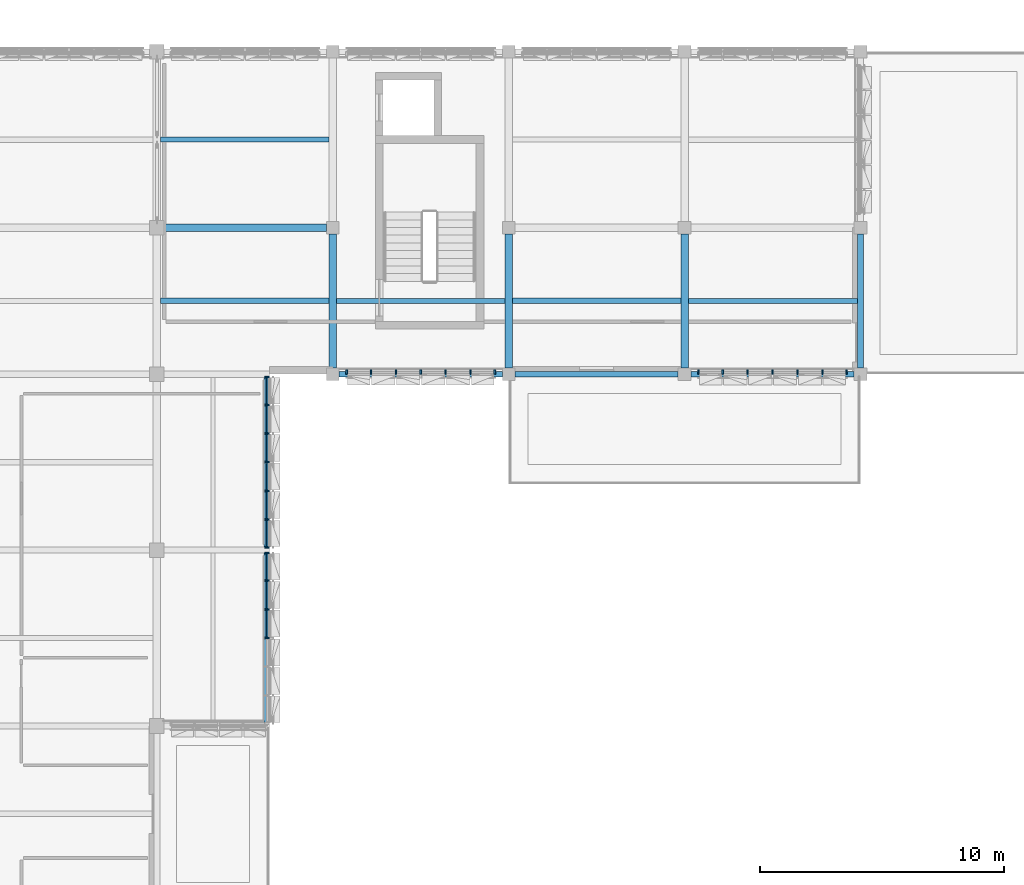
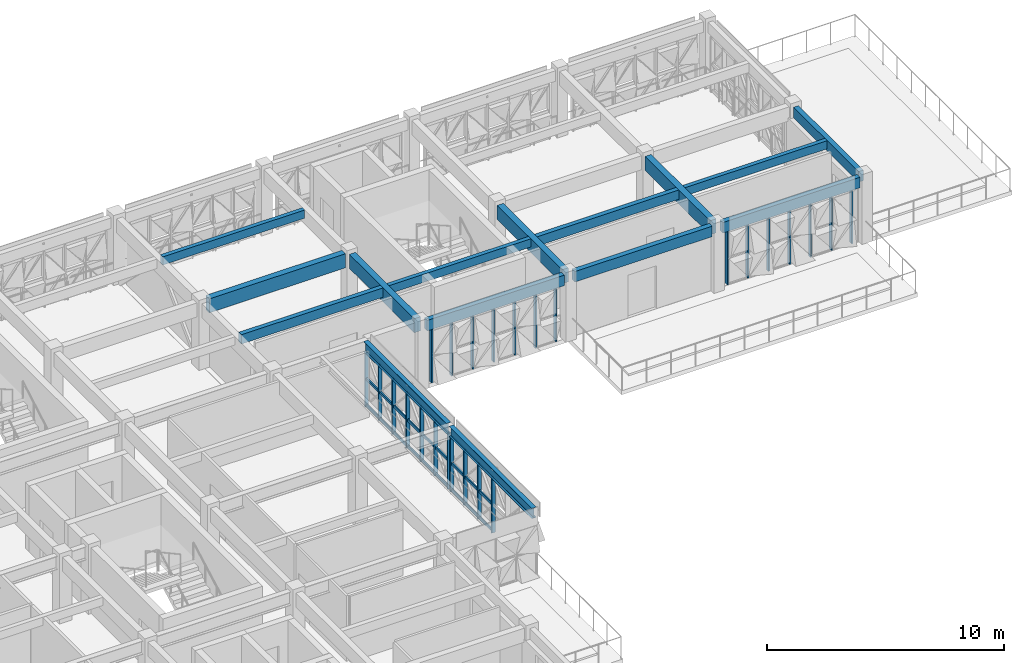
# One storey, part 7 of 74: 52 members, 15 beams, 4 elements without a shape of their own.
"""IFC4 building model written with IfcOpenShell, lengths in metres."""

from ifc_helpers import new_model, si_unit, direction, frame, origin, origin_2d, place, context, subcontext, project, spatial, rectangle, i_section, extrude, material, material_profile, profile_set, type_object, element, aggregate, save


model = new_model("IFC4")

# Units and contexts
model_context = context("Model", 3, precision=1e-05, world=origin(), true_north=direction((0.0, 1.0)))
body_context = subcontext(model_context, "Body", "Model", "MODEL_VIEW")
ifc_project = project(units=[si_unit("LENGTHUNIT", "METRE"), si_unit("AREAUNIT", "SQUARE_METRE"), si_unit("VOLUMEUNIT", "CUBIC_METRE"), si_unit("PLANEANGLEUNIT", "RADIAN"), si_unit("MASSUNIT", "GRAM", prefix="KILO")], contexts=[model_context])

# Site, building, storey
site_placement = place(None, origin())
site = spatial("IfcSite", under=ifc_project, at=site_placement, CompositionType="ELEMENT")
building_placement = place(site_placement, origin())
building = spatial("IfcBuilding", under=site, at=building_placement, Name="Alvorim Cloister Faculty of Sciences", CompositionType="ELEMENT")
storey_placement = place(building_placement, frame((0.0, 0.0, 15.75)))
storey = spatial("IfcBuildingStorey", under=building, at=storey_placement, Name="L04", CompositionType="ELEMENT", Elevation=15.75)

# Beams
ifc_material_1 = material(Name="Glulam GL32h", Category="wood")
ifc_material_profile_1 = material_profile(ifc_material_1, rectangle(XDim=0.300048828125, YDim=0.719970703125, at=origin_2d()), Name="GL32-BM-300x720")
ifc_profile_set_1 = profile_set([ifc_material_profile_1], Name="Glulam GL32h")
beam_type_1 = type_object("IfcBeamType", Name="BM-GL-300x720", PredefinedType="BEAM", material=ifc_profile_set_1)
beam_1_placement = place(storey_placement, frame((29.10009765625, 49.199951171875, 3.030029296875), z_axis=(1.0, 0.0, 0.0), x_axis=(0.0, 1.0, 0.0)))
element("IfcBeam", 1, at=beam_1_placement, inside=storey, type_object=beam_type_1, Name="L04 Primary Beam BM-1763", PredefinedType="BEAM", context=body_context, shape_type="SweptSolid", body=[
    extrude(rectangle(XDim=0.300048828125, YDim=0.719970703125, at=origin_2d()), origin(), (0.0, 0.0, 1.0), 6.639892578125),
])
for number, where, z_axis, x_axis, name in (
    (2, (36.0, 43.4599609375, 3.030029296875), (0.0, 1.0, 0.0), (-1.0, 0.0, 0.0), "L04 Primary Girder BM-1855"),
    (3, (43.199951171875, 43.4599609375, 3.030029296875), (0.0, 1.0, 0.0), (-1.0, 0.0, 0.0), "L04 Primary Girder BM-1857"),
    (4, (50.39990234375, 43.4599609375, 3.030029296875), (0.0, 1.0, 0.0), (-1.0, 0.0, 0.0), "L04 Primary Girder BM-1859"),
):
    element("IfcBeam", number, at=place(storey_placement, frame(where, z_axis=z_axis, x_axis=x_axis)), inside=storey, type_object=beam_type_1, Name=name, PredefinedType="BEAM", context=body_context, shape_type="SweptSolid", body=[
        extrude(rectangle(XDim=0.300048828125, YDim=0.719970703125, at=origin_2d()), origin(), (0.0, 0.0, 1.0), 5.47998046875),
    ])
ifc_material_2 = material(Name="Glulam GL28h", Category="wood")
ifc_material_profile_2 = material_profile(ifc_material_2, rectangle(XDim=0.199951171875, YDim=0.419921875, at=origin_2d()), Name="GL28-JST-200x420")
ifc_profile_set_2 = profile_set([ifc_material_profile_2], Name="Glulam GL28h")
beam_type_2 = type_object("IfcBeamType", Name="BM-JST-GL-200x420", PredefinedType="JOIST", material=ifc_profile_set_2)
for number, where, z_axis, x_axis, name in (
    (5, (28.949951171875, 52.800048828125, 3.179931640625), (1.0, 0.0, 0.0), (0.0, 1.0, 0.0), "L04 Secondary Floor Joist BM-1931"),
    (6, (36.14990234375, 46.199951171875, 3.179931640625), (1.0, 0.0, 0.0), (0.0, 1.0, 0.0), "L04 Secondary Floor Joist BM-1932"),
):
    element("IfcBeam", number, at=place(storey_placement, frame(where, z_axis=z_axis, x_axis=x_axis)), inside=storey, type_object=beam_type_2, Name=name, PredefinedType="JOIST", context=body_context, shape_type="SweptSolid", body=[
        extrude(rectangle(XDim=0.199951171875, YDim=0.419921875, at=origin_2d()), origin(), (0.0, 0.0, 1.0), 6.900146484375),
    ])
beam_2_placement = place(storey_placement, frame((50.550048828125, 46.199951171875, 3.179931640625), z_axis=(1.0, 0.0, 0.0), x_axis=(0.0, 1.0, 0.0)))
element("IfcBeam", 7, at=beam_2_placement, inside=storey, type_object=beam_type_2, Name="L04 Secondary Floor Joist BM-1935", PredefinedType="JOIST", context=body_context, shape_type="SweptSolid", body=[
    extrude(rectangle(XDim=0.199951171875, YDim=0.419921875, at=origin_2d()), origin(), (0.0, 0.0, 1.0), 6.929931640625),
])
ifc_material_profile_3 = material_profile(ifc_material_2, rectangle(XDim=0.219970703125, YDim=0.47998046875, at=origin_2d()), Name="GL28-JST-220x480")
ifc_profile_set_3 = profile_set([ifc_material_profile_3], Name="Glulam GL28h")
beam_type_3 = type_object("IfcBeamType", Name="BM-JST-GL-220x480", PredefinedType="JOIST", material=ifc_profile_set_3)
beam_3_placement = place(storey_placement, frame((28.949951171875, 46.199951171875, 3.14990234375), z_axis=(1.0, 0.0, 0.0), x_axis=(0.0, 1.0, 0.0)))
element("IfcBeam", 8, at=beam_3_placement, inside=storey, type_object=beam_type_3, Name="L04 Secondary Floor Joist BM-1930", PredefinedType="JOIST", context=body_context, shape_type="SweptSolid", body=[
    extrude(rectangle(XDim=0.219970703125, YDim=0.47998046875, at=origin_2d()), origin(), (0.0, 0.0, 1.0), 6.900146484375),
])
beam_4_placement = place(storey_placement, frame((43.35009765625, 46.199951171875, 3.14990234375), z_axis=(1.0, 0.0, 0.0), x_axis=(0.0, 1.0, 0.0)))
element("IfcBeam", 9, at=beam_4_placement, inside=storey, type_object=beam_type_3, Name="L04 Secondary Floor Joist BM-1933", PredefinedType="JOIST", context=body_context, shape_type="SweptSolid", body=[
    extrude(rectangle(XDim=0.219970703125, YDim=0.47998046875, at=origin_2d()), origin(), (0.0, 0.0, 1.0), 6.89990234375),
])
ifc_material_profile_4 = material_profile(ifc_material_2, rectangle(XDim=0.239990234375, YDim=0.5400390625, at=origin_2d()), Name="GL28-SPD-240x540")
ifc_profile_set_4 = profile_set([ifc_material_profile_4], Name="Glulam GL28h")
beam_type_4 = type_object("IfcBeamType", Name="BM-SPD-GL-240x540", PredefinedType="SPANDREL", material=ifc_profile_set_4)
for number, where, z_axis, x_axis, name in (
    (10, (36.260009765625, 43.199951171875, 3.1201171875), (1.0, 0.0, 0.0), (0.0, 1.0, 0.0), "L04 Primary Beam BM-1759"),
    (11, (43.4599609375, 43.199951171875, 3.1201171875), (1.0, 0.0, 0.0), (0.0, 1.0, 0.0), "L04 Primary Beam BM-1760"),
):
    element("IfcBeam", number, at=place(storey_placement, frame(where, z_axis=z_axis, x_axis=x_axis)), inside=storey, type_object=beam_type_4, Name=name, PredefinedType="SPANDREL", context=body_context, shape_type="SweptSolid", body=[
        extrude(rectangle(XDim=0.239990234375, YDim=0.5400390625, at=origin_2d()), origin(), (0.0, 0.0, 1.0), 6.679931640625),
    ])
beam_5_placement = place(storey_placement, frame((50.659912109375, 43.199951171875, 3.1201171875), z_axis=(1.0, 0.0, 0.0), x_axis=(0.0, 1.0, 0.0)))
element("IfcBeam", 12, at=beam_5_placement, inside=storey, type_object=beam_type_4, Name="L04 Primary Beam BM-1761", PredefinedType="SPANDREL", context=body_context, shape_type="SweptSolid", body=[
    extrude(rectangle(XDim=0.239990234375, YDim=0.5400390625, at=origin_2d()), origin(), (0.0, 0.0, 1.0), 6.68017578125),
])
beam_6_placement = place(storey_placement, frame((57.60009765625, 43.4599609375, 3.1201171875), z_axis=(0.0, 1.0, 0.0), x_axis=(-1.0, 0.0, 0.0)))
element("IfcBeam", 13, at=beam_6_placement, inside=storey, type_object=beam_type_4, Name="L04 Primary Girder BM-1861", PredefinedType="SPANDREL", context=body_context, shape_type="SweptSolid", body=[
    extrude(rectangle(XDim=0.239990234375, YDim=0.5400390625, at=origin_2d()), origin(), (0.0, 0.0, 1.0), 5.47998046875),
])
ifc_material_3 = material(Name="Steel ASTM A572 Grade 50", Category="steel")
ifc_material_profile_5 = material_profile(ifc_material_3, i_section(OverallWidth=0.208984375, OverallDepth=0.532958984375, WebThickness=0.01025390625, FlangeThickness=0.015625, FilletRadius=0.01611328125, at=origin_2d()), Name="W530x92.0")
ifc_profile_set_5 = profile_set([ifc_material_profile_5], Name="Steel ASTM A572 Grade 50")
beam_type_5 = type_object("IfcBeamType", Name="BM-STL-W530", PredefinedType="BEAM", material=ifc_profile_set_5)
for number, where, z_axis, x_axis, name in (
    (14, (33.280029296875, 28.909912109375, 3.12353515625), (0.0, 1.0, 0.0), (-1.0, 0.0, 0.0), "L04 Cantilever Tip Header Girder BM-0137"),
    (15, (33.280029296875, 36.110107421875, 3.12353515625), (0.0, 1.0, 0.0), (-1.0, 0.0, 0.0), "L04 Cantilever Tip Header Girder BM-0139"),
):
    element("IfcBeam", number, at=place(storey_placement, frame(where, z_axis=z_axis, x_axis=x_axis)), inside=storey, type_object=beam_type_5, Name=name, PredefinedType="BEAM", context=body_context, shape_type="SweptSolid", body=[
        extrude(i_section(OverallWidth=0.208984375, OverallDepth=0.532958984375, WebThickness=0.01025390625, FlangeThickness=0.015625, FilletRadius=0.01611328125, at=origin_2d()), origin(), (0.0, 0.0, 1.0), 6.97998046875),
    ])

# Curtain wall, members
ifc_material_4 = material(Name="Aluminium and Low-E Glass Curtain Wall", Category="aluminium")
curtain_wall_type_1 = type_object("IfcCurtainWallType", Name="CW-TRI-6120x2850", PredefinedType="USERDEFINED", material=ifc_material_4)
curtain_wall_1_placement = place(storey_placement, origin())
curtain_wall_1 = element("IfcCurtainWall", 16, at=curtain_wall_1_placement, inside=storey, type_object=curtain_wall_type_1, Name="L04 Diagonal Cassette Curtain Wall CW-0195", ObjectType="UNITISED CURTAIN WALL", PredefinedType="USERDEFINED")
ifc_material_5 = material(Name="Aluminium Alloy 6063-T6", Category="aluminium")
ifc_material_profile_6 = material_profile(ifc_material_5, rectangle(XDim=0.06494140625, YDim=0.179931640625, at=origin_2d()), Name="ALU-MUL-65x180")
ifc_profile_set_6 = profile_set([ifc_material_profile_6], Name="Aluminium Alloy 6063-T6")
member_type_1 = type_object("IfcMemberType", Name="CW-MUL-65x180", PredefinedType="MULLION", material=ifc_profile_set_6)
member_1_placement = place(storey_placement, frame((50.972412109375, 43.2900390625, 0.0), z_axis=(0.0, 0.0, 1.0), x_axis=(1.0, 0.0, 0.0)))
member_1 = element("IfcMember", 17, at=member_1_placement, type_object=member_type_1, Name="CW-0195 Mullion 1", PredefinedType="MULLION", context=body_context, shape_type="SweptSolid", body=[
    extrude(rectangle(XDim=0.06494140625, YDim=0.179931640625, at=origin_2d()), origin(), (0.0, 0.0, 1.0), 2.85009765625),
])
member_2_placement = place(storey_placement, frame((51.9599609375, 43.2900390625, 0.0), z_axis=(0.0, 0.0, 1.0), x_axis=(1.0, 0.0, 0.0)))
member_2 = element("IfcMember", 18, at=member_2_placement, type_object=member_type_1, Name="CW-0195 Mullion 2", PredefinedType="MULLION", context=body_context, shape_type="SweptSolid", body=[
    extrude(rectangle(XDim=0.06494140625, YDim=0.179931640625, at=origin_2d()), origin(), (0.0, 0.0, 1.0), 2.85009765625),
])
member_3_placement = place(storey_placement, frame((52.97998046875, 43.2900390625, 0.0), z_axis=(0.0, 0.0, 1.0), x_axis=(1.0, 0.0, 0.0)))
member_3 = element("IfcMember", 19, at=member_3_placement, type_object=member_type_1, Name="CW-0195 Mullion 3", PredefinedType="MULLION", context=body_context, shape_type="SweptSolid", body=[
    extrude(rectangle(XDim=0.06494140625, YDim=0.179931640625, at=origin_2d()), origin(), (0.0, 0.0, 1.0), 2.85009765625),
])
member_4_placement = place(storey_placement, frame((54.0, 43.2900390625, 0.0), z_axis=(0.0, 0.0, 1.0), x_axis=(1.0, 0.0, 0.0)))
member_4 = element("IfcMember", 20, at=member_4_placement, type_object=member_type_1, Name="CW-0195 Mullion 4", PredefinedType="MULLION", context=body_context, shape_type="SweptSolid", body=[
    extrude(rectangle(XDim=0.06494140625, YDim=0.179931640625, at=origin_2d()), origin(), (0.0, 0.0, 1.0), 2.85009765625),
])
member_5_placement = place(storey_placement, frame((55.02001953125, 43.2900390625, 0.0), z_axis=(0.0, 0.0, 1.0), x_axis=(1.0, 0.0, 0.0)))
member_5 = element("IfcMember", 21, at=member_5_placement, type_object=member_type_1, Name="CW-0195 Mullion 5", PredefinedType="MULLION", context=body_context, shape_type="SweptSolid", body=[
    extrude(rectangle(XDim=0.06494140625, YDim=0.179931640625, at=origin_2d()), origin(), (0.0, 0.0, 1.0), 2.85009765625),
])
member_6_placement = place(storey_placement, frame((56.0400390625, 43.2900390625, 0.0), z_axis=(0.0, 0.0, 1.0), x_axis=(1.0, 0.0, 0.0)))
member_6 = element("IfcMember", 22, at=member_6_placement, type_object=member_type_1, Name="CW-0195 Mullion 6", PredefinedType="MULLION", context=body_context, shape_type="SweptSolid", body=[
    extrude(rectangle(XDim=0.06494140625, YDim=0.179931640625, at=origin_2d()), origin(), (0.0, 0.0, 1.0), 2.85009765625),
])
member_7_placement = place(storey_placement, frame((57.027587890625, 43.2900390625, 0.0), z_axis=(0.0, 0.0, 1.0), x_axis=(1.0, 0.0, 0.0)))
member_7 = element("IfcMember", 23, at=member_7_placement, type_object=member_type_1, Name="CW-0195 Mullion 7", PredefinedType="MULLION", context=body_context, shape_type="SweptSolid", body=[
    extrude(rectangle(XDim=0.06494140625, YDim=0.179931640625, at=origin_2d()), origin(), (0.0, 0.0, 1.0), 2.85009765625),
])
aggregate(curtain_wall_1, [member_1, member_2, member_3, member_4, member_5, member_6, member_7])

curtain_wall_2_placement = place(storey_placement, origin())
curtain_wall_2 = element("IfcCurtainWall", 24, at=curtain_wall_2_placement, inside=storey, type_object=curtain_wall_type_1, Name="L04 Diagonal Cassette Curtain Wall CW-0196", ObjectType="UNITISED CURTAIN WALL", PredefinedType="USERDEFINED")
member_8_placement = place(storey_placement, frame((36.572509765625, 43.2900390625, 0.0), z_axis=(0.0, 0.0, 1.0), x_axis=(1.0, 0.0, 0.0)))
member_8 = element("IfcMember", 25, at=member_8_placement, type_object=member_type_1, Name="CW-0196 Mullion 1", PredefinedType="MULLION", context=body_context, shape_type="SweptSolid", body=[
    extrude(rectangle(XDim=0.06494140625, YDim=0.179931640625, at=origin_2d()), origin(), (0.0, 0.0, 1.0), 2.85009765625),
])
member_9_placement = place(storey_placement, frame((37.56005859375, 43.2900390625, 0.0), z_axis=(0.0, 0.0, 1.0), x_axis=(1.0, 0.0, 0.0)))
member_9 = element("IfcMember", 26, at=member_9_placement, type_object=member_type_1, Name="CW-0196 Mullion 2", PredefinedType="MULLION", context=body_context, shape_type="SweptSolid", body=[
    extrude(rectangle(XDim=0.06494140625, YDim=0.179931640625, at=origin_2d()), origin(), (0.0, 0.0, 1.0), 2.85009765625),
])
member_10_placement = place(storey_placement, frame((38.580078125, 43.2900390625, 0.0), z_axis=(0.0, 0.0, 1.0), x_axis=(1.0, 0.0, 0.0)))
member_10 = element("IfcMember", 27, at=member_10_placement, type_object=member_type_1, Name="CW-0196 Mullion 3", PredefinedType="MULLION", context=body_context, shape_type="SweptSolid", body=[
    extrude(rectangle(XDim=0.06494140625, YDim=0.179931640625, at=origin_2d()), origin(), (0.0, 0.0, 1.0), 2.85009765625),
])
member_11_placement = place(storey_placement, frame((39.60009765625, 43.2900390625, 0.0), z_axis=(0.0, 0.0, 1.0), x_axis=(1.0, 0.0, 0.0)))
member_11 = element("IfcMember", 28, at=member_11_placement, type_object=member_type_1, Name="CW-0196 Mullion 4", PredefinedType="MULLION", context=body_context, shape_type="SweptSolid", body=[
    extrude(rectangle(XDim=0.06494140625, YDim=0.179931640625, at=origin_2d()), origin(), (0.0, 0.0, 1.0), 2.85009765625),
])
member_12_placement = place(storey_placement, frame((40.6201171875, 43.2900390625, 0.0), z_axis=(0.0, 0.0, 1.0), x_axis=(1.0, 0.0, 0.0)))
member_12 = element("IfcMember", 29, at=member_12_placement, type_object=member_type_1, Name="CW-0196 Mullion 5", PredefinedType="MULLION", context=body_context, shape_type="SweptSolid", body=[
    extrude(rectangle(XDim=0.06494140625, YDim=0.179931640625, at=origin_2d()), origin(), (0.0, 0.0, 1.0), 2.85009765625),
])
member_13_placement = place(storey_placement, frame((41.639892578125, 43.2900390625, 0.0), z_axis=(0.0, 0.0, 1.0), x_axis=(1.0, 0.0, 0.0)))
member_13 = element("IfcMember", 30, at=member_13_placement, type_object=member_type_1, Name="CW-0196 Mullion 6", PredefinedType="MULLION", context=body_context, shape_type="SweptSolid", body=[
    extrude(rectangle(XDim=0.06494140625, YDim=0.179931640625, at=origin_2d()), origin(), (0.0, 0.0, 1.0), 2.85009765625),
])
member_14_placement = place(storey_placement, frame((42.62744140625, 43.2900390625, 0.0), z_axis=(0.0, 0.0, 1.0), x_axis=(1.0, 0.0, 0.0)))
member_14 = element("IfcMember", 31, at=member_14_placement, type_object=member_type_1, Name="CW-0196 Mullion 7", PredefinedType="MULLION", context=body_context, shape_type="SweptSolid", body=[
    extrude(rectangle(XDim=0.06494140625, YDim=0.179931640625, at=origin_2d()), origin(), (0.0, 0.0, 1.0), 2.85009765625),
])
aggregate(curtain_wall_2, [member_8, member_9, member_10, member_11, member_12, member_13, member_14])

curtain_wall_type_2 = type_object("IfcCurtainWallType", Name="CW-TRI-7040x2857", PredefinedType="USERDEFINED", material=ifc_material_4)
curtain_wall_3_placement = place(storey_placement, origin())
curtain_wall_3 = element("IfcCurtainWall", 32, at=curtain_wall_3_placement, inside=storey, type_object=curtain_wall_type_2, Name="L04 Diagonal Cassette Curtain Wall CW-0197", ObjectType="UNITISED CURTAIN WALL", PredefinedType="USERDEFINED")
member_15_placement = place(storey_placement, frame((33.31005859375, 36.112548828125, 0.0), z_axis=(0.0, 0.0, 1.0), x_axis=(0.0, 1.0, 0.0)))
member_15 = element("IfcMember", 33, at=member_15_placement, type_object=member_type_1, Name="CW-0197 Mullion 1", PredefinedType="MULLION", context=body_context, shape_type="SweptSolid", body=[
    extrude(rectangle(XDim=0.06494140625, YDim=0.179931640625, at=origin_2d()), origin(), (0.0, 0.0, 1.0), 2.85693359375),
])
member_16_placement = place(storey_placement, frame((33.31005859375, 37.25341796875, 0.0), z_axis=(0.0, 0.0, 1.0), x_axis=(0.0, 1.0, 0.0)))
member_16 = element("IfcMember", 34, at=member_16_placement, type_object=member_type_1, Name="CW-0197 Mullion 2", PredefinedType="MULLION", context=body_context, shape_type="SweptSolid", body=[
    extrude(rectangle(XDim=0.06494140625, YDim=0.179931640625, at=origin_2d()), origin(), (0.0, 0.0, 1.0), 2.85693359375),
])
member_17_placement = place(storey_placement, frame((33.31005859375, 38.4267578125, 0.0), z_axis=(0.0, 0.0, 1.0), x_axis=(0.0, 1.0, 0.0)))
member_17 = element("IfcMember", 35, at=member_17_placement, type_object=member_type_1, Name="CW-0197 Mullion 3", PredefinedType="MULLION", context=body_context, shape_type="SweptSolid", body=[
    extrude(rectangle(XDim=0.06494140625, YDim=0.179931640625, at=origin_2d()), origin(), (0.0, 0.0, 1.0), 2.85693359375),
])
member_18_placement = place(storey_placement, frame((33.31005859375, 39.60009765625, 0.0), z_axis=(0.0, 0.0, 1.0), x_axis=(0.0, 1.0, 0.0)))
member_18 = element("IfcMember", 36, at=member_18_placement, type_object=member_type_1, Name="CW-0197 Mullion 4", PredefinedType="MULLION", context=body_context, shape_type="SweptSolid", body=[
    extrude(rectangle(XDim=0.06494140625, YDim=0.179931640625, at=origin_2d()), origin(), (0.0, 0.0, 1.0), 2.85693359375),
])
member_19_placement = place(storey_placement, frame((33.31005859375, 40.773193359375, 0.0), z_axis=(0.0, 0.0, 1.0), x_axis=(0.0, 1.0, 0.0)))
member_19 = element("IfcMember", 37, at=member_19_placement, type_object=member_type_1, Name="CW-0197 Mullion 5", PredefinedType="MULLION", context=body_context, shape_type="SweptSolid", body=[
    extrude(rectangle(XDim=0.06494140625, YDim=0.179931640625, at=origin_2d()), origin(), (0.0, 0.0, 1.0), 2.85693359375),
])
member_20_placement = place(storey_placement, frame((33.31005859375, 41.94677734375, 0.0), z_axis=(0.0, 0.0, 1.0), x_axis=(0.0, 1.0, 0.0)))
member_20 = element("IfcMember", 38, at=member_20_placement, type_object=member_type_1, Name="CW-0197 Mullion 6", PredefinedType="MULLION", context=body_context, shape_type="SweptSolid", body=[
    extrude(rectangle(XDim=0.06494140625, YDim=0.179931640625, at=origin_2d()), origin(), (0.0, 0.0, 1.0), 2.85693359375),
])
member_21_placement = place(storey_placement, frame((33.31005859375, 43.08740234375, 0.0), z_axis=(0.0, 0.0, 1.0), x_axis=(0.0, 1.0, 0.0)))
member_21 = element("IfcMember", 39, at=member_21_placement, type_object=member_type_1, Name="CW-0197 Mullion 7", PredefinedType="MULLION", context=body_context, shape_type="SweptSolid", body=[
    extrude(rectangle(XDim=0.06494140625, YDim=0.179931640625, at=origin_2d()), origin(), (0.0, 0.0, 1.0), 2.85693359375),
])

curtain_wall_4_placement = place(storey_placement, origin())
curtain_wall_4 = element("IfcCurtainWall", 40, at=curtain_wall_4_placement, inside=storey, type_object=curtain_wall_type_2, Name="L04 Diagonal Cassette Curtain Wall CW-0198", ObjectType="UNITISED CURTAIN WALL", PredefinedType="USERDEFINED")
member_22_placement = place(storey_placement, frame((33.31005859375, 32.39990234375, 0.0), z_axis=(0.0, 0.0, 1.0), x_axis=(0.0, 1.0, 0.0)))
member_22 = element("IfcMember", 41, at=member_22_placement, type_object=member_type_1, Name="CW-0198 Mullion 4", PredefinedType="MULLION", context=body_context, shape_type="SweptSolid", body=[
    extrude(rectangle(XDim=0.06494140625, YDim=0.179931640625, at=origin_2d()), origin(), (0.0, 0.0, 1.0), 2.85693359375),
])
member_23_placement = place(storey_placement, frame((33.31005859375, 33.5732421875, 0.0), z_axis=(0.0, 0.0, 1.0), x_axis=(0.0, 1.0, 0.0)))
member_23 = element("IfcMember", 42, at=member_23_placement, type_object=member_type_1, Name="CW-0198 Mullion 5", PredefinedType="MULLION", context=body_context, shape_type="SweptSolid", body=[
    extrude(rectangle(XDim=0.06494140625, YDim=0.179931640625, at=origin_2d()), origin(), (0.0, 0.0, 1.0), 2.85693359375),
])
member_24_placement = place(storey_placement, frame((33.31005859375, 34.74658203125, 0.0), z_axis=(0.0, 0.0, 1.0), x_axis=(0.0, 1.0, 0.0)))
member_24 = element("IfcMember", 43, at=member_24_placement, type_object=member_type_1, Name="CW-0198 Mullion 6", PredefinedType="MULLION", context=body_context, shape_type="SweptSolid", body=[
    extrude(rectangle(XDim=0.06494140625, YDim=0.179931640625, at=origin_2d()), origin(), (0.0, 0.0, 1.0), 2.85693359375),
])
member_25_placement = place(storey_placement, frame((33.31005859375, 35.887451171875, 0.0), z_axis=(0.0, 0.0, 1.0), x_axis=(0.0, 1.0, 0.0)))
member_25 = element("IfcMember", 44, at=member_25_placement, type_object=member_type_1, Name="CW-0198 Mullion 7", PredefinedType="MULLION", context=body_context, shape_type="SweptSolid", body=[
    extrude(rectangle(XDim=0.06494140625, YDim=0.179931640625, at=origin_2d()), origin(), (0.0, 0.0, 1.0), 2.85693359375),
])

# Member
ifc_material_profile_7 = material_profile(ifc_material_5, rectangle(XDim=0.06494140625, YDim=0.139892578125, at=origin_2d()), Name="ALU-TRN-65x140")
ifc_profile_set_7 = profile_set([ifc_material_profile_7], Name="Aluminium Alloy 6063-T6")
member_type_2 = type_object("IfcMemberType", Name="CW-TRN-65x140", PredefinedType="USERDEFINED", material=ifc_profile_set_7)
member_26_placement = place(storey_placement, frame((33.31005859375, 36.14501953125, 0.070068359375), z_axis=(0.0, 1.0, 0.0), x_axis=(-1.0, 0.0, 0.0)))
member_26 = element("IfcMember", 45, at=member_26_placement, type_object=member_type_2, Name="CW-0197 Transom 1.1", ObjectType="TRANSOM", PredefinedType="USERDEFINED", context=body_context, shape_type="SweptSolid", body=[
    extrude(rectangle(XDim=0.06494140625, YDim=0.139892578125, at=origin_2d()), origin(), (0.0, 0.0, 1.0), 1.075927734375),
])

member_27_placement = place(storey_placement, frame((33.31005859375, 36.14501953125, 1.428466796875), z_axis=(0.0, 1.0, 0.0), x_axis=(-1.0, 0.0, 0.0)))
member_27 = element("IfcMember", 46, at=member_27_placement, type_object=member_type_2, Name="CW-0197 Transom 1.2", ObjectType="TRANSOM", PredefinedType="USERDEFINED", context=body_context, shape_type="SweptSolid", body=[
    extrude(rectangle(XDim=0.06494140625, YDim=0.139892578125, at=origin_2d()), origin(), (0.0, 0.0, 1.0), 1.075927734375),
])

member_28_placement = place(storey_placement, frame((33.31005859375, 36.14501953125, 2.787109375), z_axis=(0.0, 1.0, 0.0), x_axis=(-1.0, 0.0, 0.0)))
member_28 = element("IfcMember", 47, at=member_28_placement, type_object=member_type_2, Name="CW-0197 Transom 1.3", ObjectType="TRANSOM", PredefinedType="USERDEFINED", context=body_context, shape_type="SweptSolid", body=[
    extrude(rectangle(XDim=0.06494140625, YDim=0.139892578125, at=origin_2d()), origin(), (0.0, 0.0, 1.0), 1.075927734375),
])

member_29_placement = place(storey_placement, frame((33.31005859375, 37.285888671875, 0.070068359375), z_axis=(0.0, 1.0, 0.0), x_axis=(-1.0, 0.0, 0.0)))
member_29 = element("IfcMember", 48, at=member_29_placement, type_object=member_type_2, Name="CW-0197 Transom 2.1", ObjectType="TRANSOM", PredefinedType="USERDEFINED", context=body_context, shape_type="SweptSolid", body=[
    extrude(rectangle(XDim=0.06494140625, YDim=0.139892578125, at=origin_2d()), origin(), (0.0, 0.0, 1.0), 1.1083984375),
])

member_30_placement = place(storey_placement, frame((33.31005859375, 37.285888671875, 1.428466796875), z_axis=(0.0, 1.0, 0.0), x_axis=(-1.0, 0.0, 0.0)))
member_30 = element("IfcMember", 49, at=member_30_placement, type_object=member_type_2, Name="CW-0197 Transom 2.2", ObjectType="TRANSOM", PredefinedType="USERDEFINED", context=body_context, shape_type="SweptSolid", body=[
    extrude(rectangle(XDim=0.06494140625, YDim=0.139892578125, at=origin_2d()), origin(), (0.0, 0.0, 1.0), 1.1083984375),
])

member_31_placement = place(storey_placement, frame((33.31005859375, 37.285888671875, 2.787109375), z_axis=(0.0, 1.0, 0.0), x_axis=(-1.0, 0.0, 0.0)))
member_31 = element("IfcMember", 50, at=member_31_placement, type_object=member_type_2, Name="CW-0197 Transom 2.3", ObjectType="TRANSOM", PredefinedType="USERDEFINED", context=body_context, shape_type="SweptSolid", body=[
    extrude(rectangle(XDim=0.06494140625, YDim=0.139892578125, at=origin_2d()), origin(), (0.0, 0.0, 1.0), 1.1083984375),
])

member_32_placement = place(storey_placement, frame((33.31005859375, 38.459228515625, 0.070068359375), z_axis=(0.0, 1.0, 0.0), x_axis=(-1.0, 0.0, 0.0)))
member_32 = element("IfcMember", 51, at=member_32_placement, type_object=member_type_2, Name="CW-0197 Transom 3.1", ObjectType="TRANSOM", PredefinedType="USERDEFINED", context=body_context, shape_type="SweptSolid", body=[
    extrude(rectangle(XDim=0.06494140625, YDim=0.139892578125, at=origin_2d()), origin(), (0.0, 0.0, 1.0), 1.108154296875),
])

member_33_placement = place(storey_placement, frame((33.31005859375, 38.459228515625, 1.428466796875), z_axis=(0.0, 1.0, 0.0), x_axis=(-1.0, 0.0, 0.0)))
member_33 = element("IfcMember", 52, at=member_33_placement, type_object=member_type_2, Name="CW-0197 Transom 3.2", ObjectType="TRANSOM", PredefinedType="USERDEFINED", context=body_context, shape_type="SweptSolid", body=[
    extrude(rectangle(XDim=0.06494140625, YDim=0.139892578125, at=origin_2d()), origin(), (0.0, 0.0, 1.0), 1.108154296875),
])

member_34_placement = place(storey_placement, frame((33.31005859375, 38.459228515625, 2.787109375), z_axis=(0.0, 1.0, 0.0), x_axis=(-1.0, 0.0, 0.0)))
member_34 = element("IfcMember", 53, at=member_34_placement, type_object=member_type_2, Name="CW-0197 Transom 3.3", ObjectType="TRANSOM", PredefinedType="USERDEFINED", context=body_context, shape_type="SweptSolid", body=[
    extrude(rectangle(XDim=0.06494140625, YDim=0.139892578125, at=origin_2d()), origin(), (0.0, 0.0, 1.0), 1.108154296875),
])

member_35_placement = place(storey_placement, frame((33.31005859375, 39.632568359375, 0.070068359375), z_axis=(0.0, 1.0, 0.0), x_axis=(-1.0, 0.0, 0.0)))
member_35 = element("IfcMember", 54, at=member_35_placement, type_object=member_type_2, Name="CW-0197 Transom 4.1", ObjectType="TRANSOM", PredefinedType="USERDEFINED", context=body_context, shape_type="SweptSolid", body=[
    extrude(rectangle(XDim=0.06494140625, YDim=0.139892578125, at=origin_2d()), origin(), (0.0, 0.0, 1.0), 1.108154296875),
])

member_36_placement = place(storey_placement, frame((33.31005859375, 39.632568359375, 1.428466796875), z_axis=(0.0, 1.0, 0.0), x_axis=(-1.0, 0.0, 0.0)))
member_36 = element("IfcMember", 55, at=member_36_placement, type_object=member_type_2, Name="CW-0197 Transom 4.2", ObjectType="TRANSOM", PredefinedType="USERDEFINED", context=body_context, shape_type="SweptSolid", body=[
    extrude(rectangle(XDim=0.06494140625, YDim=0.139892578125, at=origin_2d()), origin(), (0.0, 0.0, 1.0), 1.108154296875),
])

member_37_placement = place(storey_placement, frame((33.31005859375, 39.632568359375, 2.787109375), z_axis=(0.0, 1.0, 0.0), x_axis=(-1.0, 0.0, 0.0)))
member_37 = element("IfcMember", 56, at=member_37_placement, type_object=member_type_2, Name="CW-0197 Transom 4.3", ObjectType="TRANSOM", PredefinedType="USERDEFINED", context=body_context, shape_type="SweptSolid", body=[
    extrude(rectangle(XDim=0.06494140625, YDim=0.139892578125, at=origin_2d()), origin(), (0.0, 0.0, 1.0), 1.108154296875),
])

member_38_placement = place(storey_placement, frame((33.31005859375, 40.805908203125, 0.070068359375), z_axis=(0.0, 1.0, 0.0), x_axis=(-1.0, 0.0, 0.0)))
member_38 = element("IfcMember", 57, at=member_38_placement, type_object=member_type_2, Name="CW-0197 Transom 5.1", ObjectType="TRANSOM", PredefinedType="USERDEFINED", context=body_context, shape_type="SweptSolid", body=[
    extrude(rectangle(XDim=0.06494140625, YDim=0.139892578125, at=origin_2d()), origin(), (0.0, 0.0, 1.0), 1.108154296875),
])

member_39_placement = place(storey_placement, frame((33.31005859375, 40.805908203125, 1.428466796875), z_axis=(0.0, 1.0, 0.0), x_axis=(-1.0, 0.0, 0.0)))
member_39 = element("IfcMember", 58, at=member_39_placement, type_object=member_type_2, Name="CW-0197 Transom 5.2", ObjectType="TRANSOM", PredefinedType="USERDEFINED", context=body_context, shape_type="SweptSolid", body=[
    extrude(rectangle(XDim=0.06494140625, YDim=0.139892578125, at=origin_2d()), origin(), (0.0, 0.0, 1.0), 1.108154296875),
])

member_40_placement = place(storey_placement, frame((33.31005859375, 40.805908203125, 2.787109375), z_axis=(0.0, 1.0, 0.0), x_axis=(-1.0, 0.0, 0.0)))
member_40 = element("IfcMember", 59, at=member_40_placement, type_object=member_type_2, Name="CW-0197 Transom 5.3", ObjectType="TRANSOM", PredefinedType="USERDEFINED", context=body_context, shape_type="SweptSolid", body=[
    extrude(rectangle(XDim=0.06494140625, YDim=0.139892578125, at=origin_2d()), origin(), (0.0, 0.0, 1.0), 1.108154296875),
])

member_41_placement = place(storey_placement, frame((33.31005859375, 41.979248046875, 0.070068359375), z_axis=(0.0, 1.0, 0.0), x_axis=(-1.0, 0.0, 0.0)))
member_41 = element("IfcMember", 60, at=member_41_placement, type_object=member_type_2, Name="CW-0197 Transom 6.1", ObjectType="TRANSOM", PredefinedType="USERDEFINED", context=body_context, shape_type="SweptSolid", body=[
    extrude(rectangle(XDim=0.06494140625, YDim=0.139892578125, at=origin_2d()), origin(), (0.0, 0.0, 1.0), 1.07568359375),
])

member_42_placement = place(storey_placement, frame((33.31005859375, 41.979248046875, 1.428466796875), z_axis=(0.0, 1.0, 0.0), x_axis=(-1.0, 0.0, 0.0)))
member_42 = element("IfcMember", 61, at=member_42_placement, type_object=member_type_2, Name="CW-0197 Transom 6.2", ObjectType="TRANSOM", PredefinedType="USERDEFINED", context=body_context, shape_type="SweptSolid", body=[
    extrude(rectangle(XDim=0.06494140625, YDim=0.139892578125, at=origin_2d()), origin(), (0.0, 0.0, 1.0), 1.07568359375),
])

member_43_placement = place(storey_placement, frame((33.31005859375, 41.979248046875, 2.787109375), z_axis=(0.0, 1.0, 0.0), x_axis=(-1.0, 0.0, 0.0)))
member_43 = element("IfcMember", 62, at=member_43_placement, type_object=member_type_2, Name="CW-0197 Transom 6.3", ObjectType="TRANSOM", PredefinedType="USERDEFINED", context=body_context, shape_type="SweptSolid", body=[
    extrude(rectangle(XDim=0.06494140625, YDim=0.139892578125, at=origin_2d()), origin(), (0.0, 0.0, 1.0), 1.07568359375),
])

aggregate(curtain_wall_3, [member_15, member_16, member_17, member_18, member_19, member_20, member_21, member_26, member_27, member_28, member_29, member_30, member_31, member_32, member_33, member_34, member_35, member_36, member_37, member_38, member_39, member_40, member_41, member_42, member_43])

member_44_placement = place(storey_placement, frame((33.31005859375, 32.4326171875, 0.070068359375), z_axis=(0.0, 1.0, 0.0), x_axis=(-1.0, 0.0, 0.0)))
member_44 = element("IfcMember", 63, at=member_44_placement, type_object=member_type_2, Name="CW-0198 Transom 4.1", ObjectType="TRANSOM", PredefinedType="USERDEFINED", context=body_context, shape_type="SweptSolid", body=[
    extrude(rectangle(XDim=0.06494140625, YDim=0.139892578125, at=origin_2d()), origin(), (0.0, 0.0, 1.0), 1.108154296875),
])

member_45_placement = place(storey_placement, frame((33.31005859375, 32.4326171875, 1.428466796875), z_axis=(0.0, 1.0, 0.0), x_axis=(-1.0, 0.0, 0.0)))
member_45 = element("IfcMember", 64, at=member_45_placement, type_object=member_type_2, Name="CW-0198 Transom 4.2", ObjectType="TRANSOM", PredefinedType="USERDEFINED", context=body_context, shape_type="SweptSolid", body=[
    extrude(rectangle(XDim=0.06494140625, YDim=0.139892578125, at=origin_2d()), origin(), (0.0, 0.0, 1.0), 1.108154296875),
])

member_46_placement = place(storey_placement, frame((33.31005859375, 32.4326171875, 2.787109375), z_axis=(0.0, 1.0, 0.0), x_axis=(-1.0, 0.0, 0.0)))
member_46 = element("IfcMember", 65, at=member_46_placement, type_object=member_type_2, Name="CW-0198 Transom 4.3", ObjectType="TRANSOM", PredefinedType="USERDEFINED", context=body_context, shape_type="SweptSolid", body=[
    extrude(rectangle(XDim=0.06494140625, YDim=0.139892578125, at=origin_2d()), origin(), (0.0, 0.0, 1.0), 1.108154296875),
])

member_47_placement = place(storey_placement, frame((33.31005859375, 33.605712890625, 0.070068359375), z_axis=(0.0, 1.0, 0.0), x_axis=(-1.0, 0.0, 0.0)))
member_47 = element("IfcMember", 66, at=member_47_placement, type_object=member_type_2, Name="CW-0198 Transom 5.1", ObjectType="TRANSOM", PredefinedType="USERDEFINED", context=body_context, shape_type="SweptSolid", body=[
    extrude(rectangle(XDim=0.06494140625, YDim=0.139892578125, at=origin_2d()), origin(), (0.0, 0.0, 1.0), 1.1083984375),
])

member_48_placement = place(storey_placement, frame((33.31005859375, 33.605712890625, 1.428466796875), z_axis=(0.0, 1.0, 0.0), x_axis=(-1.0, 0.0, 0.0)))
member_48 = element("IfcMember", 67, at=member_48_placement, type_object=member_type_2, Name="CW-0198 Transom 5.2", ObjectType="TRANSOM", PredefinedType="USERDEFINED", context=body_context, shape_type="SweptSolid", body=[
    extrude(rectangle(XDim=0.06494140625, YDim=0.139892578125, at=origin_2d()), origin(), (0.0, 0.0, 1.0), 1.1083984375),
])

member_49_placement = place(storey_placement, frame((33.31005859375, 33.605712890625, 2.787109375), z_axis=(0.0, 1.0, 0.0), x_axis=(-1.0, 0.0, 0.0)))
member_49 = element("IfcMember", 68, at=member_49_placement, type_object=member_type_2, Name="CW-0198 Transom 5.3", ObjectType="TRANSOM", PredefinedType="USERDEFINED", context=body_context, shape_type="SweptSolid", body=[
    extrude(rectangle(XDim=0.06494140625, YDim=0.139892578125, at=origin_2d()), origin(), (0.0, 0.0, 1.0), 1.1083984375),
])

member_50_placement = place(storey_placement, frame((33.31005859375, 34.779052734375, 0.070068359375), z_axis=(0.0, 1.0, 0.0), x_axis=(-1.0, 0.0, 0.0)))
member_50 = element("IfcMember", 69, at=member_50_placement, type_object=member_type_2, Name="CW-0198 Transom 6.1", ObjectType="TRANSOM", PredefinedType="USERDEFINED", context=body_context, shape_type="SweptSolid", body=[
    extrude(rectangle(XDim=0.06494140625, YDim=0.139892578125, at=origin_2d()), origin(), (0.0, 0.0, 1.0), 1.075927734375),
])

member_51_placement = place(storey_placement, frame((33.31005859375, 34.779052734375, 1.428466796875), z_axis=(0.0, 1.0, 0.0), x_axis=(-1.0, 0.0, 0.0)))
member_51 = element("IfcMember", 70, at=member_51_placement, type_object=member_type_2, Name="CW-0198 Transom 6.2", ObjectType="TRANSOM", PredefinedType="USERDEFINED", context=body_context, shape_type="SweptSolid", body=[
    extrude(rectangle(XDim=0.06494140625, YDim=0.139892578125, at=origin_2d()), origin(), (0.0, 0.0, 1.0), 1.075927734375),
])

member_52_placement = place(storey_placement, frame((33.31005859375, 34.779052734375, 2.787109375), z_axis=(0.0, 1.0, 0.0), x_axis=(-1.0, 0.0, 0.0)))
member_52 = element("IfcMember", 71, at=member_52_placement, type_object=member_type_2, Name="CW-0198 Transom 6.3", ObjectType="TRANSOM", PredefinedType="USERDEFINED", context=body_context, shape_type="SweptSolid", body=[
    extrude(rectangle(XDim=0.06494140625, YDim=0.139892578125, at=origin_2d()), origin(), (0.0, 0.0, 1.0), 1.075927734375),
])

aggregate(curtain_wall_4, [member_22, member_23, member_24, member_25, member_44, member_45, member_46, member_47, member_48, member_49, member_50, member_51, member_52])

save(model, "model.ifc")
